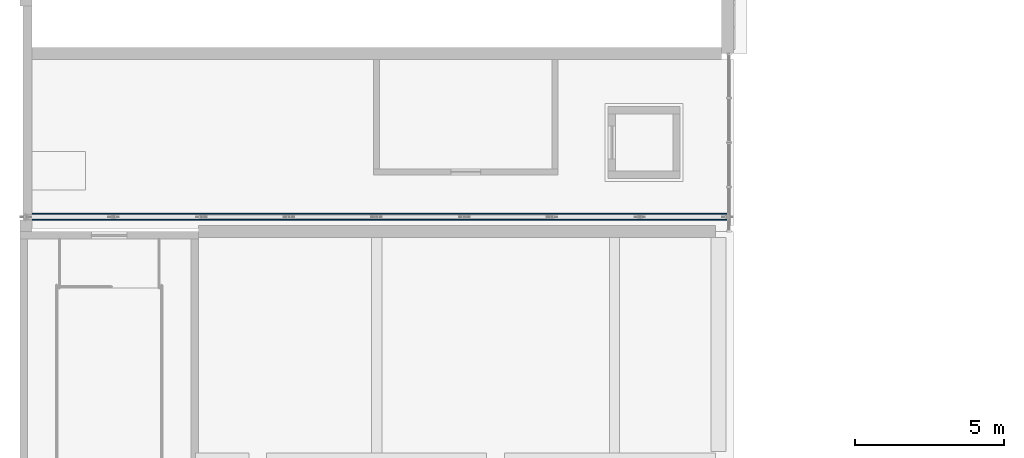
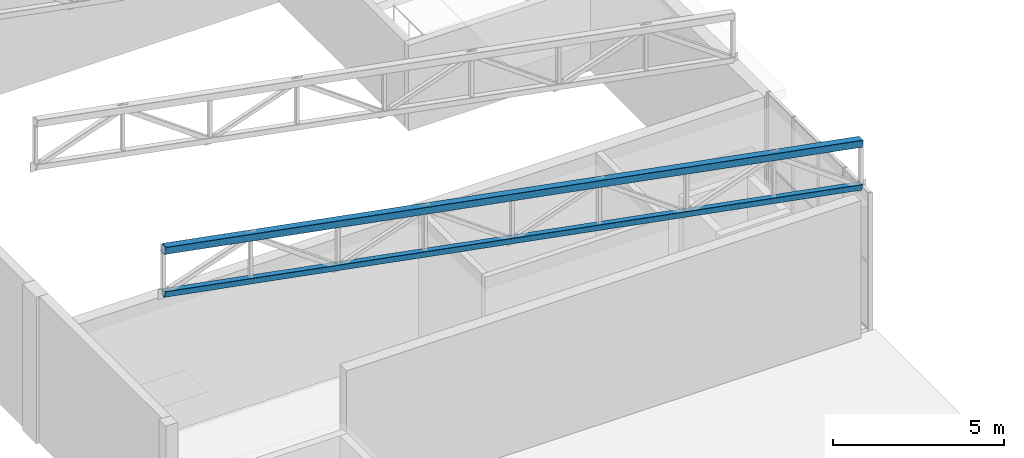
# One storey, part 9 of 125: 2 members.
"""IFC4 building model written with IfcOpenShell, lengths in metres."""

from ifc_helpers import new_model, si_unit, direction, frame, origin, origin_2d, place, context, subcontext, project, spatial, hollow_rectangle, extrude, material, material_profile, profile_set, type_object, element, save


model = new_model("IFC4")

# Units and contexts
model_context = context("Model", 3, precision=1e-05, world=origin(), true_north=direction((0.0, 1.0)))
body_context = subcontext(model_context, "Body", "Model", "MODEL_VIEW")
ifc_project = project(units=[si_unit("LENGTHUNIT", "METRE"), si_unit("AREAUNIT", "SQUARE_METRE"), si_unit("VOLUMEUNIT", "CUBIC_METRE"), si_unit("PLANEANGLEUNIT", "RADIAN"), si_unit("MASSUNIT", "GRAM", prefix="KILO")], contexts=[model_context])

# Site, building, storey
site_placement = place(None, origin())
site = spatial("IfcSite", under=ifc_project, at=site_placement, CompositionType="ELEMENT")
building_placement = place(site_placement, origin())
building = spatial("IfcBuilding", under=site, at=building_placement, Name="Sun Court Science Centre", CompositionType="ELEMENT")
storey_placement = place(building_placement, frame((0.0, 0.0, 6.0)))
storey = spatial("IfcBuildingStorey", under=building, at=storey_placement, Name="L01", CompositionType="ELEMENT", Elevation=6.0)

# Members
ifc_material_1 = material(Name="Steel S355", Category="steel")
ifc_material_profile_1 = material_profile(ifc_material_1, hollow_rectangle(XDim=0.199951171875, YDim=0.199951171875, WallThickness=0.010009765625, InnerFilletRadius=0.010009765625, OuterFilletRadius=0.014892578125, at=origin_2d()), Name="SHS 200x200x10")
ifc_profile_set_1 = profile_set([ifc_material_profile_1], Name="Steel S355")
member_type_1 = type_object("IfcMemberType", Name="Truss bottom chord SHS 200x200x10", PredefinedType="CHORD", material=ifc_profile_set_1)
member_1_placement = place(storey_placement, frame((0.199951171875, 48.5, 9.342529296875), z_axis=(0.982871956721, 0.0, -0.184289762849), x_axis=(0.0, 1.0, 0.0)))
element("IfcMember", 1, at=member_1_placement, inside=storey, type_object=member_type_1, Name="Roof truss 1 bottom chord", PredefinedType="CHORD", context=body_context, shape_type="SweptSolid", body=[
    extrude(hollow_rectangle(XDim=0.199951171875, YDim=0.199951171875, WallThickness=0.010009765625, InnerFilletRadius=0.010009765625, OuterFilletRadius=0.014892578125, at=origin_2d()), origin(), (0.0, 0.0, 1.0), 24.011474609375),
])
ifc_material_2 = material(Name="Steel S355", Category="steel")
ifc_material_profile_2 = material_profile(ifc_material_2, hollow_rectangle(XDim=0.25, YDim=0.25, WallThickness=0.010009765625, InnerFilletRadius=0.010009765625, OuterFilletRadius=0.014892578125, at=origin_2d()), Name="SHS 250x250x10")
ifc_profile_set_2 = profile_set([ifc_material_profile_2], Name="Steel S355")
member_type_2 = type_object("IfcMemberType", Name="Truss top chord SHS 250x250x10", PredefinedType="CHORD", material=ifc_profile_set_2)
member_2_placement = place(storey_placement, frame((0.199951171875, 48.5, 10.91748046875), z_axis=(0.982871956721, 0.0, -0.184289762849), x_axis=(0.0, 1.0, 0.0)))
element("IfcMember", 2, at=member_2_placement, inside=storey, type_object=member_type_2, Name="Roof truss 1 top chord", PredefinedType="CHORD", context=body_context, shape_type="SweptSolid", body=[
    extrude(hollow_rectangle(XDim=0.25, YDim=0.25, WallThickness=0.010009765625, InnerFilletRadius=0.010009765625, OuterFilletRadius=0.014892578125, at=origin_2d()), origin(), (0.0, 0.0, 1.0), 24.011474609375),
])

save(model, "model.ifc")
